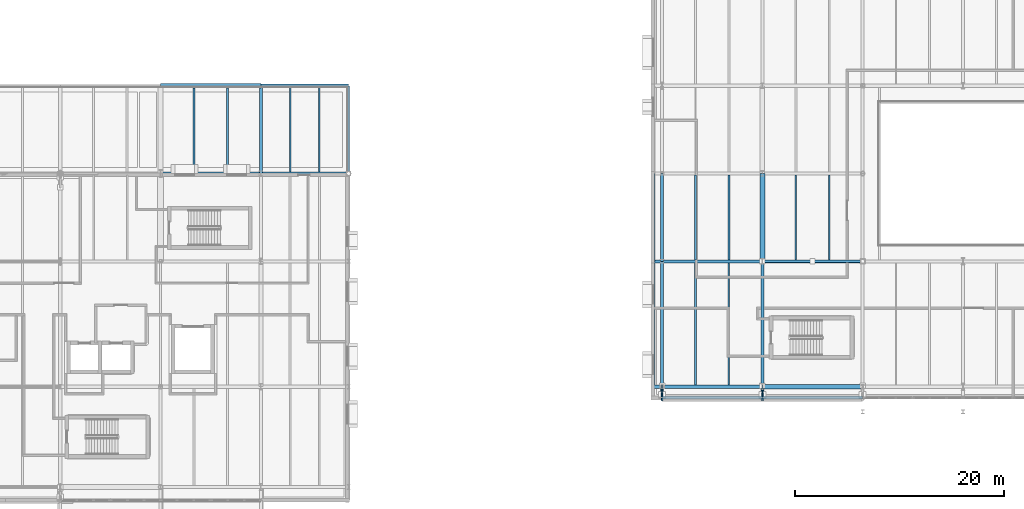
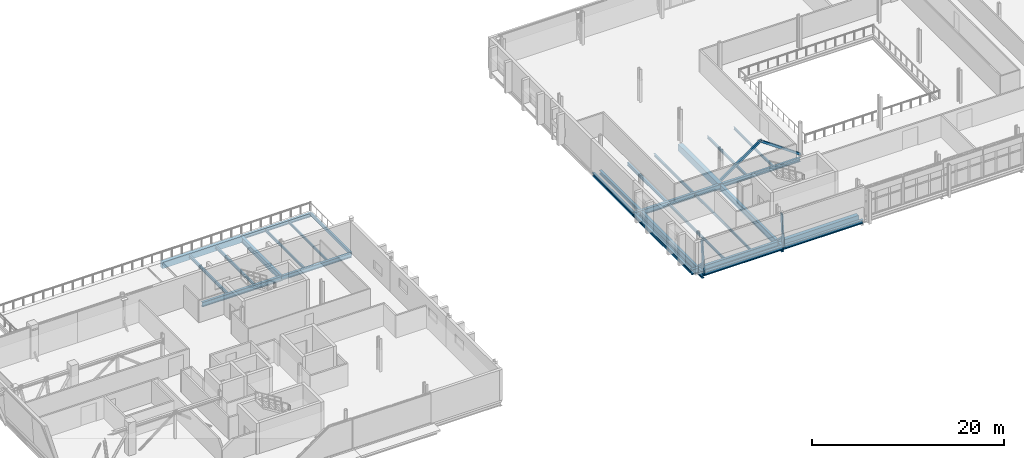
# One storey, part 18 of 57: 28 beams, 6 members.
"""IFC4 building model written with IfcOpenShell, lengths in metres."""

from ifc_helpers import new_model, si_unit, direction, frame, origin, origin_2d, place, context, subcontext, project, spatial, rectangle, hollow_rectangle, i_section, extrude, material, material_profile, profile_set, type_object, element, save


model = new_model("IFC4")

# Units and contexts
model_context = context("Model", 3, precision=1e-05, world=origin(), true_north=direction((0.0, 1.0)))
body_context = subcontext(model_context, "Body", "Model", "MODEL_VIEW")
ifc_project = project(units=[si_unit("LENGTHUNIT", "METRE"), si_unit("AREAUNIT", "SQUARE_METRE"), si_unit("VOLUMEUNIT", "CUBIC_METRE"), si_unit("PLANEANGLEUNIT", "RADIAN"), si_unit("MASSUNIT", "GRAM", prefix="KILO")], contexts=[model_context])

# Site, building, storey
site_placement = place(None, origin())
site = spatial("IfcSite", under=ifc_project, at=site_placement, CompositionType="ELEMENT")
building_placement = place(site_placement, origin())
building = spatial("IfcBuilding", under=site, at=building_placement, Name="Zereglee Splitstone Museum", CompositionType="ELEMENT")
storey_placement = place(building_placement, frame((0.0, 0.0, 17.10009765625)))
storey = spatial("IfcBuildingStorey", under=building, at=storey_placement, Name="L03", CompositionType="ELEMENT", Elevation=17.10009765625)

# Beam
ifc_material_1 = material(Name="Concrete C40/50", Category="concrete")
ifc_material_profile_1 = material_profile(ifc_material_1, rectangle(XDim=0.5, YDim=0.85009765625, at=origin_2d()), Name="RC 500x850")
ifc_profile_set_1 = profile_set([ifc_material_profile_1], Name="Concrete C40/50")
beam_type_1 = type_object("IfcBeamType", Name="BG-02", PredefinedType="BEAM", material=ifc_profile_set_1)
beam_1_placement = place(storey_placement, frame((87.60009765625, 21.60009765625, -0.705078125), z_axis=(0.0, 1.0, 0.0), x_axis=(-1.0, 0.0, 0.0)))
element("IfcBeam", 1, at=beam_1_placement, inside=storey, type_object=beam_type_1, Name="Primary Girder L03 11 (21.6-30.0)", PredefinedType="BEAM", context=body_context, shape_type="SweptSolid", body=[
    extrude(rectangle(XDim=0.5, YDim=0.85009765625, at=origin_2d()), origin(), (0.0, 0.0, 1.0), 8.39990234375),
])

# Members
ifc_material_2 = material(Name="Steel S355J2H", Category="steel")
ifc_material_profile_2 = material_profile(ifc_material_2, hollow_rectangle(XDim=0.25, YDim=0.25, WallThickness=0.012451171875, at=origin_2d()), Name="SHS 250x250x12.5")
ifc_profile_set_2 = profile_set([ifc_material_profile_2], Name="Steel S355J2H")
member_type_1 = type_object("IfcMemberType", Name="TB-06", PredefinedType="BRACE", material=ifc_profile_set_2)
for number, where, z_axis, x_axis, name in (
    (2, (87.60009765625, 21.60009765625, 0.119873046875), (0.819212344006, 0.0, 0.573490309794), (0.0, 1.0, 0.0), "Lateral Braced Frame Chevron L03-008A"),
    (3, (97.199951171875, 21.60009765625, 0.119873046875), (-0.819226047866, 0.0, 0.573470733776), (0.0, -1.0, 0.0), "Lateral Braced Frame Chevron L03-008B"),
):
    element("IfcMember", number, at=place(storey_placement, frame(where, z_axis=z_axis, x_axis=x_axis)), inside=storey, type_object=member_type_1, Name=name, PredefinedType="BRACE", context=body_context, shape_type="SweptSolid", body=[
        extrude(hollow_rectangle(XDim=0.25, YDim=0.25, WallThickness=0.012451171875, at=origin_2d()), origin(), (0.0, 0.0, 1.0), 5.859130859375),
    ])

# Beams
ifc_material_3 = material(Name="Steel S355J2", Category="steel")
ifc_material_profile_3 = material_profile(ifc_material_3, i_section(OverallWidth=0.300048828125, OverallDepth=0.5, WebThickness=0.014404296875, FlangeThickness=0.028076171875, FilletRadius=0.027099609375, at=origin_2d()), Name="HE 500 B")
ifc_profile_set_3 = profile_set([ifc_material_profile_3], Name="Steel S355J2")
beam_type_2 = type_object("IfcBeamType", Name="BG-12", PredefinedType="BEAM", material=ifc_profile_set_3)
beam_2_placement = place(storey_placement, frame((87.60009765625, 21.60009765625, -0.530029296875), z_axis=(1.0, 0.0, 0.0), x_axis=(0.0, 1.0, 0.0)))
element("IfcBeam", 4, at=beam_2_placement, inside=storey, type_object=beam_type_2, Name="Primary Girder L03 C (87.6-97.2)", PredefinedType="BEAM", context=body_context, shape_type="SweptSolid", body=[
    extrude(i_section(OverallWidth=0.300048828125, OverallDepth=0.5, WebThickness=0.014404296875, FlangeThickness=0.028076171875, FilletRadius=0.027099609375, at=origin_2d()), origin(), (0.0, 0.0, 1.0), 9.599853515625),
])
ifc_material_profile_4 = material_profile(ifc_material_3, i_section(OverallWidth=0.300048828125, OverallDepth=0.550048828125, WebThickness=0.014892578125, FlangeThickness=0.029052734375, FilletRadius=0.027099609375, at=origin_2d()), Name="HE 550 B")
ifc_profile_set_4 = profile_set([ifc_material_profile_4], Name="Steel S355J2")
beam_type_3 = type_object("IfcBeamType", Name="BG-11", PredefinedType="BEAM", material=ifc_profile_set_4)
beam_3_placement = place(storey_placement, frame((39.60009765625, 30.0, -0.55517578125), z_axis=(1.0, 0.0, 0.0), x_axis=(0.0, 1.0, 0.0)))
element("IfcBeam", 5, at=beam_3_placement, inside=storey, type_object=beam_type_3, Name="Primary Girder L03 D (39.6-48.0)", PredefinedType="BEAM", context=body_context, shape_type="SweptSolid", body=[
    extrude(i_section(OverallWidth=0.300048828125, OverallDepth=0.550048828125, WebThickness=0.014892578125, FlangeThickness=0.029052734375, FilletRadius=0.027099609375, at=origin_2d()), origin(), (0.0, 0.0, 1.0), 8.39990234375),
])
ifc_material_profile_5 = material_profile(ifc_material_3, i_section(OverallWidth=0.300048828125, OverallDepth=0.60009765625, WebThickness=0.015380859375, FlangeThickness=0.030029296875, FilletRadius=0.027099609375, at=origin_2d()), Name="HE 600 B")
ifc_profile_set_5 = profile_set([ifc_material_profile_5], Name="Steel S355J2")
beam_type_4 = type_object("IfcBeamType", Name="BG-10", PredefinedType="BEAM", material=ifc_profile_set_5)
beam_4_placement = place(storey_placement, frame((30.0, 30.0, -0.580078125), z_axis=(1.0, 0.0, 0.0), x_axis=(0.0, 1.0, 0.0)))
element("IfcBeam", 6, at=beam_4_placement, inside=storey, type_object=beam_type_4, Name="Primary Girder L03 D (30.0-39.6)", PredefinedType="BEAM", context=body_context, shape_type="SweptSolid", body=[
    extrude(i_section(OverallWidth=0.300048828125, OverallDepth=0.60009765625, WebThickness=0.015380859375, FlangeThickness=0.030029296875, FilletRadius=0.027099609375, at=origin_2d()), origin(), (0.0, 0.0, 1.0), 9.60009765625),
])
ifc_material_profile_6 = material_profile(ifc_material_3, i_section(OverallWidth=0.300048828125, OverallDepth=0.64990234375, WebThickness=0.01611328125, FlangeThickness=0.031005859375, FilletRadius=0.027099609375, at=origin_2d()), Name="HE 650 B")
ifc_profile_set_6 = profile_set([ifc_material_profile_6], Name="Steel S355J2")
beam_type_5 = type_object("IfcBeamType", Name="BG-09", PredefinedType="BEAM", material=ifc_profile_set_6)
for number, where, z_axis, x_axis, name in (
    (7, (77.14990234375, 9.60009765625, -0.60498046875), (1.0, 0.0, 0.0), (0.0, 1.0, 0.0), "Primary Girder L03 B (77.2-87.6)"),
    (8, (77.14990234375, 21.60009765625, -0.60498046875), (1.0, 0.0, 0.0), (0.0, 1.0, 0.0), "Primary Girder L03 C (77.2-87.6)"),
):
    element("IfcBeam", number, at=place(storey_placement, frame(where, z_axis=z_axis, x_axis=x_axis)), inside=storey, type_object=beam_type_5, Name=name, PredefinedType="BEAM", context=body_context, shape_type="SweptSolid", body=[
        extrude(i_section(OverallWidth=0.300048828125, OverallDepth=0.64990234375, WebThickness=0.01611328125, FlangeThickness=0.031005859375, FilletRadius=0.027099609375, at=origin_2d()), origin(), (0.0, 0.0, 1.0), 10.4501953125),
    ])
ifc_material_profile_7 = material_profile(ifc_material_3, i_section(OverallWidth=0.300048828125, OverallDepth=0.699951171875, WebThickness=0.01708984375, FlangeThickness=0.031982421875, FilletRadius=0.027099609375, at=origin_2d()), Name="HE 700 B")
ifc_profile_set_7 = profile_set([ifc_material_profile_7], Name="Steel S355J2")
beam_type_6 = type_object("IfcBeamType", Name="BG-08", PredefinedType="BEAM", material=ifc_profile_set_7)
beam_5_placement = place(storey_placement, frame((39.60009765625, 30.0, -0.630126953125), z_axis=(0.0, 1.0, 0.0), x_axis=(-1.0, 0.0, 0.0)))
element("IfcBeam", 9, at=beam_5_placement, inside=storey, type_object=beam_type_6, Name="Primary Girder L03 6 (30.0-38.4)", PredefinedType="BEAM", context=body_context, shape_type="SweptSolid", body=[
    extrude(i_section(OverallWidth=0.300048828125, OverallDepth=0.699951171875, WebThickness=0.01708984375, FlangeThickness=0.031982421875, FilletRadius=0.027099609375, at=origin_2d()), origin(), (0.0, 0.0, 1.0), 8.39990234375),
])
ifc_material_profile_8 = material_profile(ifc_material_3, i_section(OverallWidth=0.300048828125, OverallDepth=0.800048828125, WebThickness=0.017578125, FlangeThickness=0.032958984375, FilletRadius=0.030029296875, at=origin_2d()), Name="HE 800 B")
ifc_profile_set_8 = profile_set([ifc_material_profile_8], Name="Steel S355J2")
beam_type_7 = type_object("IfcBeamType", Name="BG-07", PredefinedType="BEAM", material=ifc_profile_set_8)
for number, where, z_axis, x_axis, name in (
    (10, (78.0, 8.550048828125, -0.68017578125), (0.0, 1.0, 0.0), (-1.0, 0.0, 0.0), "Primary Girder L03 10 (8.6-21.6)"),
    (11, (87.60009765625, 8.550048828125, -0.68017578125), (0.0, 1.0, 0.0), (-1.0, 0.0, 0.0), "Primary Girder L03 11 (8.6-21.6)"),
):
    element("IfcBeam", number, at=place(storey_placement, frame(where, z_axis=z_axis, x_axis=x_axis)), inside=storey, type_object=beam_type_7, Name=name, PredefinedType="BEAM", context=body_context, shape_type="SweptSolid", body=[
        extrude(i_section(OverallWidth=0.300048828125, OverallDepth=0.800048828125, WebThickness=0.017578125, FlangeThickness=0.032958984375, FilletRadius=0.030029296875, at=origin_2d()), origin(), (0.0, 0.0, 1.0), 13.050048828125),
    ])
ifc_material_profile_9 = material_profile(ifc_material_3, i_section(OverallWidth=0.14990234375, OverallDepth=0.300048828125, WebThickness=0.007080078125, FlangeThickness=0.0107421875, FilletRadius=0.014892578125, at=origin_2d()), Name="IPE 300")
ifc_profile_set_9 = profile_set([ifc_material_profile_9], Name="Steel S355J2")
beam_type_8 = type_object("IfcBeamType", Name="BJ-06", PredefinedType="JOIST", material=ifc_profile_set_9)
beam_6_placement = place(storey_placement, frame((84.39990234375, 9.75, -0.43017578125), z_axis=(0.0, 1.0, 0.0), x_axis=(-1.0, 0.0, 0.0)))
element("IfcBeam", 12, at=beam_6_placement, inside=storey, type_object=beam_type_8, Name="Secondary Floor Joist L03-1321", PredefinedType="JOIST", context=body_context, shape_type="SweptSolid", body=[
    extrude(i_section(OverallWidth=0.14990234375, OverallDepth=0.300048828125, WebThickness=0.007080078125, FlangeThickness=0.0107421875, FilletRadius=0.014892578125, at=origin_2d()), origin(), (0.0, 0.0, 1.0), 11.699951171875),
])
for number, where, z_axis, x_axis, name in (
    (13, (94.0, 21.75, -0.43017578125), (0.0, 1.0, 0.0), (-1.0, 0.0, 0.0), "Secondary Floor Joist L03-1349"),
    (14, (45.199951171875, 30.14990234375, -0.43017578125), (0.0, 1.0, 0.0), (-1.0, 0.0, 0.0), "Secondary Floor Joist L03-1363"),
):
    element("IfcBeam", number, at=place(storey_placement, frame(where, z_axis=z_axis, x_axis=x_axis)), inside=storey, type_object=beam_type_8, Name=name, PredefinedType="JOIST", context=body_context, shape_type="SweptSolid", body=[
        extrude(i_section(OverallWidth=0.14990234375, OverallDepth=0.300048828125, WebThickness=0.007080078125, FlangeThickness=0.0107421875, FilletRadius=0.014892578125, at=origin_2d()), origin(), (0.0, 0.0, 1.0), 8.10009765625),
    ])
ifc_material_profile_10 = material_profile(ifc_material_3, i_section(OverallWidth=0.159912109375, OverallDepth=0.330078125, WebThickness=0.007568359375, FlangeThickness=0.011474609375, FilletRadius=0.01806640625, at=origin_2d()), Name="IPE 330")
ifc_profile_set_10 = profile_set([ifc_material_profile_10], Name="Steel S355J2")
beam_type_9 = type_object("IfcBeamType", Name="BJ-05", PredefinedType="JOIST", material=ifc_profile_set_10)
beam_7_placement = place(storey_placement, frame((81.199951171875, 9.75, -0.445068359375), z_axis=(0.0, 1.0, 0.0), x_axis=(-1.0, 0.0, 0.0)))
element("IfcBeam", 15, at=beam_7_placement, inside=storey, type_object=beam_type_9, Name="Secondary Floor Joist L03-1320", PredefinedType="JOIST", context=body_context, shape_type="SweptSolid", body=[
    extrude(i_section(OverallWidth=0.159912109375, OverallDepth=0.330078125, WebThickness=0.007568359375, FlangeThickness=0.011474609375, FilletRadius=0.01806640625, at=origin_2d()), origin(), (0.0, 0.0, 1.0), 11.699951171875),
])
for number, where, z_axis, x_axis, name in (
    (16, (90.800048828125, 21.75, -0.445068359375), (0.0, 1.0, 0.0), (-1.0, 0.0, 0.0), "Secondary Floor Joist L03-1348"),
    (17, (42.39990234375, 30.14990234375, -0.445068359375), (0.0, 1.0, 0.0), (-1.0, 0.0, 0.0), "Secondary Floor Joist L03-1362"),
):
    element("IfcBeam", number, at=place(storey_placement, frame(where, z_axis=z_axis, x_axis=x_axis)), inside=storey, type_object=beam_type_9, Name=name, PredefinedType="JOIST", context=body_context, shape_type="SweptSolid", body=[
        extrude(i_section(OverallWidth=0.159912109375, OverallDepth=0.330078125, WebThickness=0.007568359375, FlangeThickness=0.011474609375, FilletRadius=0.01806640625, at=origin_2d()), origin(), (0.0, 0.0, 1.0), 8.10009765625),
    ])
ifc_material_profile_11 = material_profile(ifc_material_3, i_section(OverallWidth=0.169921875, OverallDepth=0.360107421875, WebThickness=0.008056640625, FlangeThickness=0.0126953125, FilletRadius=0.01806640625, at=origin_2d()), Name="IPE 360")
ifc_profile_set_11 = profile_set([ifc_material_profile_11], Name="Steel S355J2")
beam_type_10 = type_object("IfcBeamType", Name="BJ-04", PredefinedType="JOIST", material=ifc_profile_set_11)
beam_8_placement = place(storey_placement, frame((84.39990234375, 21.75, -0.460205078125), z_axis=(0.0, 1.0, 0.0), x_axis=(-1.0, 0.0, 0.0)))
element("IfcBeam", 18, at=beam_8_placement, inside=storey, type_object=beam_type_10, Name="Secondary Floor Joist L03-1347", PredefinedType="JOIST", context=body_context, shape_type="SweptSolid", body=[
    extrude(i_section(OverallWidth=0.169921875, OverallDepth=0.360107421875, WebThickness=0.008056640625, FlangeThickness=0.0126953125, FilletRadius=0.01806640625, at=origin_2d()), origin(), (0.0, 0.0, 1.0), 8.10009765625),
])
beam_9_placement = place(storey_placement, frame((36.39990234375, 30.14990234375, -0.460205078125), z_axis=(0.0, 1.0, 0.0), x_axis=(-1.0, 0.0, 0.0)))
element("IfcBeam", 19, at=beam_9_placement, inside=storey, type_object=beam_type_10, Name="Secondary Floor Joist L03-1361", PredefinedType="JOIST", context=body_context, shape_type="SweptSolid", body=[
    extrude(i_section(OverallWidth=0.169921875, OverallDepth=0.360107421875, WebThickness=0.008056640625, FlangeThickness=0.0126953125, FilletRadius=0.01806640625, at=origin_2d()), origin(), (0.0, 0.0, 1.0), 8.025146484375),
])
ifc_material_profile_12 = material_profile(ifc_material_3, i_section(OverallWidth=0.179931640625, OverallDepth=0.39990234375, WebThickness=0.008544921875, FlangeThickness=0.013427734375, FilletRadius=0.02099609375, at=origin_2d()), Name="IPE 400")
ifc_profile_set_12 = profile_set([ifc_material_profile_12], Name="Steel S355J2")
beam_type_11 = type_object("IfcBeamType", Name="BJ-03", PredefinedType="JOIST", material=ifc_profile_set_12)
beam_10_placement = place(storey_placement, frame((81.199951171875, 21.75, -0.47998046875), z_axis=(0.0, 1.0, 0.0), x_axis=(-1.0, 0.0, 0.0)))
element("IfcBeam", 20, at=beam_10_placement, inside=storey, type_object=beam_type_11, Name="Secondary Floor Joist L03-1346", PredefinedType="JOIST", context=body_context, shape_type="SweptSolid", body=[
    extrude(i_section(OverallWidth=0.179931640625, OverallDepth=0.39990234375, WebThickness=0.008544921875, FlangeThickness=0.013427734375, FilletRadius=0.02099609375, at=origin_2d()), origin(), (0.0, 0.0, 1.0), 8.10009765625),
])
beam_11_placement = place(storey_placement, frame((33.199951171875, 30.14990234375, -0.47998046875), z_axis=(0.0, 1.0, 0.0), x_axis=(-1.0, 0.0, 0.0)))
element("IfcBeam", 21, at=beam_11_placement, inside=storey, type_object=beam_type_11, Name="Secondary Floor Joist L03-1360", PredefinedType="JOIST", context=body_context, shape_type="SweptSolid", body=[
    extrude(i_section(OverallWidth=0.179931640625, OverallDepth=0.39990234375, WebThickness=0.008544921875, FlangeThickness=0.013427734375, FilletRadius=0.02099609375, at=origin_2d()), origin(), (0.0, 0.0, 1.0), 8.025146484375),
])
ifc_material_profile_13 = material_profile(ifc_material_3, i_section(OverallWidth=0.300048828125, OverallDepth=0.449951171875, WebThickness=0.013916015625, FlangeThickness=0.02587890625, FilletRadius=0.027099609375, at=origin_2d()), Name="HE 450 B")
ifc_profile_set_13 = profile_set([ifc_material_profile_13], Name="Steel S355J2")
beam_type_12 = type_object("IfcBeamType", Name="SP-02", PredefinedType="SPANDREL", material=ifc_profile_set_13)
for number, where, z_axis, x_axis, name in (
    (22, (39.60009765625, 38.39990234375, -0.505126953125), (1.0, 0.0, 0.0), (0.0, 1.0, 0.0), "Primary Girder L03 E (39.6-48.0)"),
    (23, (78.0, 21.60009765625, -0.505126953125), (0.0, 1.0, 0.0), (-1.0, 0.0, 0.0), "Primary Girder L03 10 (21.6-30.0)"),
):
    element("IfcBeam", number, at=place(storey_placement, frame(where, z_axis=z_axis, x_axis=x_axis)), inside=storey, type_object=beam_type_12, Name=name, PredefinedType="SPANDREL", context=body_context, shape_type="SweptSolid", body=[
        extrude(i_section(OverallWidth=0.300048828125, OverallDepth=0.449951171875, WebThickness=0.013916015625, FlangeThickness=0.02587890625, FilletRadius=0.027099609375, at=origin_2d()), origin(), (0.0, 0.0, 1.0), 8.39990234375),
    ])
beam_12_placement = place(storey_placement, frame((78.0, 8.550048828125, -0.505126953125), z_axis=(1.0, 0.0, 0.0), x_axis=(0.0, 1.0, 0.0)))
element("IfcBeam", 24, at=beam_12_placement, inside=storey, type_object=beam_type_12, Name="Hovering Soffit Spandrel L03 (78.0-87.6)", PredefinedType="SPANDREL", context=body_context, shape_type="SweptSolid", body=[
    extrude(i_section(OverallWidth=0.300048828125, OverallDepth=0.449951171875, WebThickness=0.013916015625, FlangeThickness=0.02587890625, FilletRadius=0.027099609375, at=origin_2d()), origin(), (0.0, 0.0, 1.0), 9.60009765625),
])
beam_13_placement = place(storey_placement, frame((87.60009765625, 8.550048828125, -0.505126953125), z_axis=(1.0, 0.0, 0.0), x_axis=(0.0, 1.0, 0.0)))
element("IfcBeam", 25, at=beam_13_placement, inside=storey, type_object=beam_type_12, Name="Hovering Soffit Spandrel L03 (87.6-97.2)", PredefinedType="SPANDREL", context=body_context, shape_type="SweptSolid", body=[
    extrude(i_section(OverallWidth=0.300048828125, OverallDepth=0.449951171875, WebThickness=0.013916015625, FlangeThickness=0.02587890625, FilletRadius=0.027099609375, at=origin_2d()), origin(), (0.0, 0.0, 1.0), 9.599853515625),
])
beam_14_placement = place(storey_placement, frame((77.14990234375, 9.60009765625, -0.505126953125), z_axis=(0.0, 1.0, 0.0), x_axis=(-1.0, 0.0, 0.0)))
element("IfcBeam", 26, at=beam_14_placement, inside=storey, type_object=beam_type_12, Name="Hovering Soffit Spandrel L03 Y=(9.6-21.6)", PredefinedType="SPANDREL", context=body_context, shape_type="SweptSolid", body=[
    extrude(i_section(OverallWidth=0.300048828125, OverallDepth=0.449951171875, WebThickness=0.013916015625, FlangeThickness=0.02587890625, FilletRadius=0.027099609375, at=origin_2d()), origin(), (0.0, 0.0, 1.0), 12.0),
])
beam_15_placement = place(storey_placement, frame((77.14990234375, 21.60009765625, -0.505126953125), z_axis=(0.0, 1.0, 0.0), x_axis=(-1.0, 0.0, 0.0)))
element("IfcBeam", 27, at=beam_15_placement, inside=storey, type_object=beam_type_12, Name="Hovering Soffit Spandrel L03 Y=(21.6-30.0)", PredefinedType="SPANDREL", context=body_context, shape_type="SweptSolid", body=[
    extrude(i_section(OverallWidth=0.300048828125, OverallDepth=0.449951171875, WebThickness=0.013916015625, FlangeThickness=0.02587890625, FilletRadius=0.027099609375, at=origin_2d()), origin(), (0.0, 0.0, 1.0), 8.39990234375),
])
ifc_material_profile_14 = material_profile(ifc_material_1, rectangle(XDim=0.449951171875, YDim=0.75, at=origin_2d()), Name="RC 450x750")
ifc_profile_set_14 = profile_set([ifc_material_profile_14], Name="Concrete C40/50")
beam_type_13 = type_object("IfcBeamType", Name="SP-01", PredefinedType="SPANDREL", material=ifc_profile_set_14)
beam_16_placement = place(storey_placement, frame((87.60009765625, 9.60009765625, -0.655029296875), z_axis=(1.0, 0.0, 0.0), x_axis=(0.0, 1.0, 0.0)))
element("IfcBeam", 28, at=beam_16_placement, inside=storey, type_object=beam_type_13, Name="Primary Girder L03 B (87.6-97.2)", PredefinedType="SPANDREL", context=body_context, shape_type="SweptSolid", body=[
    extrude(rectangle(XDim=0.449951171875, YDim=0.75, at=origin_2d()), origin(), (0.0, 0.0, 1.0), 9.599853515625),
])
beam_17_placement = place(storey_placement, frame((30.0, 38.39990234375, -0.655029296875), z_axis=(1.0, 0.0, 0.0), x_axis=(0.0, 1.0, 0.0)))
element("IfcBeam", 29, at=beam_17_placement, inside=storey, type_object=beam_type_13, Name="Primary Girder L03 E (30.0-39.6)", PredefinedType="SPANDREL", context=body_context, shape_type="SweptSolid", body=[
    extrude(rectangle(XDim=0.449951171875, YDim=0.75, at=origin_2d()), origin(), (0.0, 0.0, 1.0), 9.60009765625),
])
ifc_material_profile_15 = material_profile(ifc_material_2, hollow_rectangle(XDim=0.199951171875, YDim=0.39990234375, WallThickness=0.01611328125, at=origin_2d()), Name="RHS 400x200x16")
ifc_profile_set_15 = profile_set([ifc_material_profile_15], Name="Steel S355J2H")
beam_type_14 = type_object("IfcBeamType", Name="SP-04", PredefinedType="SPANDREL", material=ifc_profile_set_15)
beam_18_placement = place(storey_placement, frame((48.0, 30.0, -0.47998046875), z_axis=(0.0, 1.0, 0.0), x_axis=(-1.0, 0.0, 0.0)))
element("IfcBeam", 30, at=beam_18_placement, inside=storey, type_object=beam_type_14, Name="Primary Girder L03 7 (30.0-38.4)", PredefinedType="SPANDREL", context=body_context, shape_type="SweptSolid", body=[
    extrude(hollow_rectangle(XDim=0.199951171875, YDim=0.39990234375, WallThickness=0.01611328125, at=origin_2d()), origin(), (0.0, 0.0, 1.0), 8.39990234375),
])

# Members
ifc_material_profile_16 = material_profile(ifc_material_2, hollow_rectangle(XDim=0.14990234375, YDim=0.35009765625, WallThickness=0.012451171875, at=origin_2d()), Name="RHS 350x150x12.5")
ifc_profile_set_16 = profile_set([ifc_material_profile_16], Name="Steel S355J2H")
member_type_2 = type_object("IfcMemberType", Name="FS-R0", PredefinedType="STRUT", material=ifc_profile_set_16)
for number, where, z_axis, x_axis, name in (
    (31, (78.0, 8.43798828125, -0.530029296875), (0.0, 0.090914953193, 0.995858660296), (-1.0, 0.0, 0.0), "Split-Rock Continuous Facet Strut FH-V2SW L03-01"),
    (32, (87.60009765625, 8.43798828125, -0.530029296875), (0.0, 0.090914953193, 0.995858660296), (-1.0, 0.0, 0.0), "Split-Rock Continuous Facet Strut FH-V2SW L03-02"),
):
    element("IfcMember", number, at=place(storey_placement, frame(where, z_axis=z_axis, x_axis=x_axis)), inside=storey, type_object=member_type_2, Name=name, PredefinedType="STRUT", context=body_context, shape_type="SweptSolid", body=[
        extrude(hollow_rectangle(XDim=0.14990234375, YDim=0.35009765625, WallThickness=0.012451171875, at=origin_2d()), origin(), (0.0, 0.0, 1.0), 4.237548828125),
    ])
ifc_material_profile_17 = material_profile(ifc_material_2, hollow_rectangle(XDim=0.1201171875, YDim=0.199951171875, WallThickness=0.008056640625, at=origin_2d()), Name="RHS 200x120x8")
ifc_profile_set_17 = profile_set([ifc_material_profile_17], Name="Steel S355J2H")
member_type_3 = type_object("IfcMemberType", Name="FS-T1", PredefinedType="STRUT", material=ifc_profile_set_17)
for number, where, z_axis, x_axis, name in (
    (33, (78.0, 9.699951171875, -0.239990234375), (0.0, -0.697696119972, 0.71639383315), (1.0, 0.0, 0.0), "Facet Tie-Back Strut FH-V2SW L03-01"),
    (34, (87.60009765625, 9.699951171875, -0.239990234375), (0.0, -0.697696119972, 0.71639383315), (1.0, 0.0, 0.0), "Facet Tie-Back Strut FH-V2SW L03-02"),
):
    element("IfcMember", number, at=place(storey_placement, frame(where, z_axis=z_axis, x_axis=x_axis)), inside=storey, type_object=member_type_3, Name=name, PredefinedType="STRUT", context=body_context, shape_type="SweptSolid", body=[
        extrude(hollow_rectangle(XDim=0.1201171875, YDim=0.199951171875, WallThickness=0.008056640625, at=origin_2d()), origin(), (0.0, 0.0, 1.0), 1.619140625),
    ])

save(model, "model.ifc")
